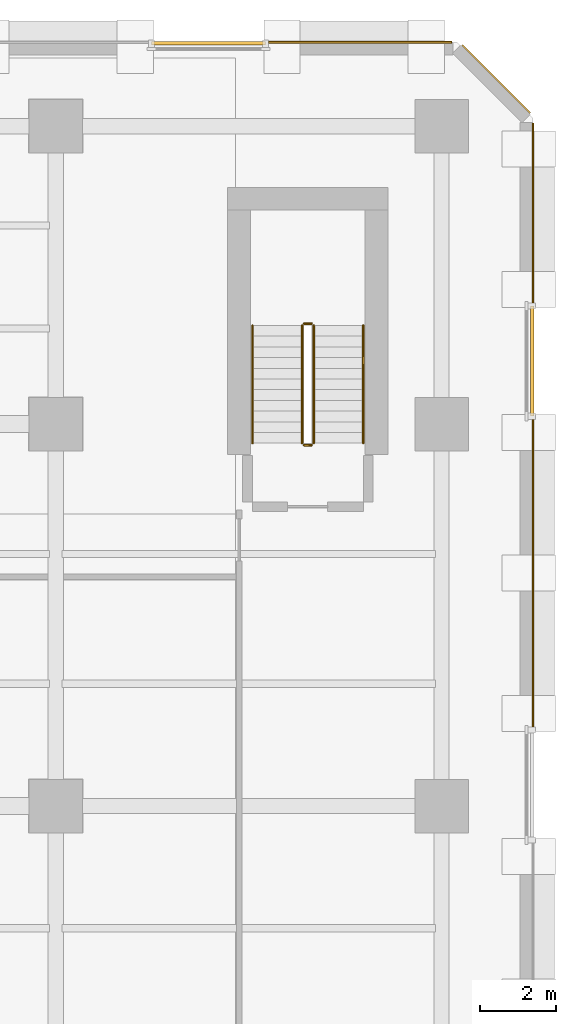
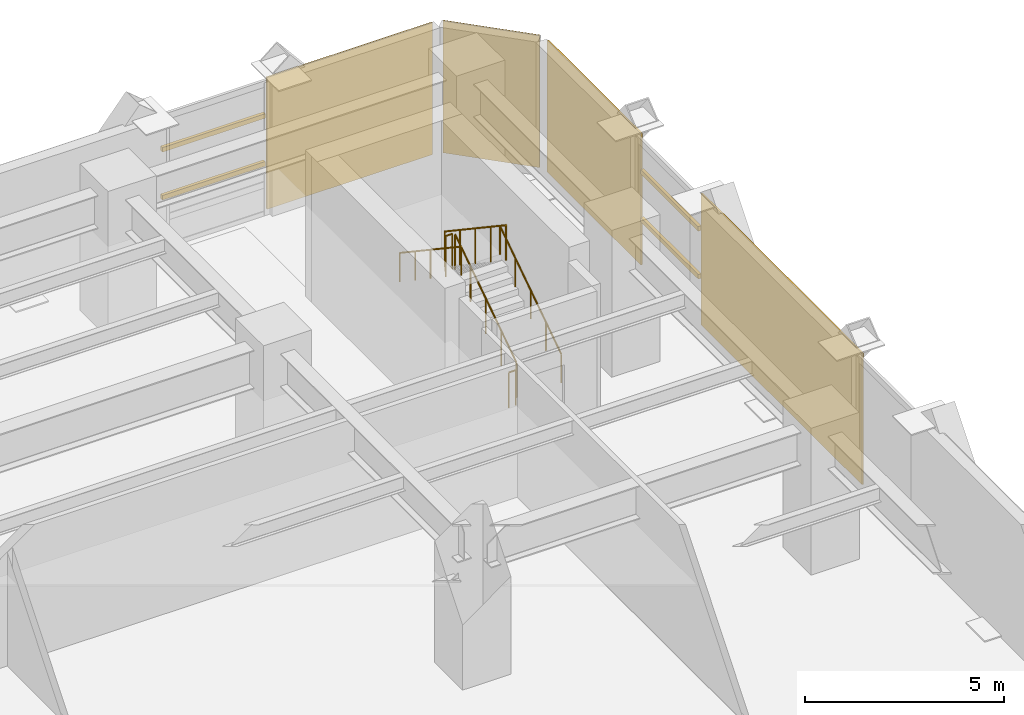
# One storey, part 26 of 26: 6 railings, 4 coverings, 4 shading devices.
"""IFC4 building model written with IfcOpenShell, lengths in metres."""

import ifcopenshell
import ifcopenshell.guid

model = None  # the IFC model being written
_history = None  # IfcOwnerHistory: only IFC2X3 demands one
_inside = {}  # id of a spatial element -> (the spatial element, [elements in it])
_under = {}  # id of a project, library or spatial element -> (it, [spatial elements below it])
_declared = {}  # id of a project -> (the project, [libraries it declares])
_typed = {}  # id of a type object -> (the type object, [elements of that type])
_made_of = {}  # id of a material, layer set ... -> (it, [elements and type objects made of it])


def new_model(schema):
    """Start an empty IFC model of exactly this schema.

    Asked for "IFC4X3", IfcOpenShell would pick the latest addendum, in which some entities
    have other attributes; the version numbers below select the first issue.
    IFC2X3 requires an IfcOwnerHistory on every rooted entity: one is made here for all.
    """
    global model, _history
    if schema == "IFC4X3":
        model = ifcopenshell.file(schema_version=(4, 3, 0, 0))
    else:
        model = ifcopenshell.file(schema=schema)
    _inside.clear()
    _under.clear()
    _declared.clear()
    _typed.clear()
    _made_of.clear()
    _history = None
    if model.schema == "IFC2X3":
        org = make("IfcOrganization", Name="unknown")
        user = make(
            "IfcPersonAndOrganization",
            ThePerson=make("IfcPerson", FamilyName="unknown"),
            TheOrganization=org,
        )
        app = make(
            "IfcApplication",
            ApplicationDeveloper=org,
            Version="unknown",
            ApplicationFullName="unknown",
            ApplicationIdentifier="unknown",
        )
        _history = make(
            "IfcOwnerHistory",
            OwningUser=user,
            OwningApplication=app,
            ChangeAction="ADDED",
            CreationDate=0,
        )
    return model


def make(cls, **values):
    """One entity of the class cls with the attributes given. An attribute that is None is left unset."""
    return model.create_entity(
        cls, **{name: value for name, value in values.items() if value is not None}
    )


def rooted(cls, **values):
    """An entity with a GlobalId (a new one), such as an element, a storey or a relation."""
    return make(cls, GlobalId=ifcopenshell.guid.new(), OwnerHistory=_history, **values)


def si_unit(unit_type, name, prefix=None):
    """IfcSIUnit, for example si_unit("LENGTHUNIT", "METRE", prefix="MILLI")."""
    return make("IfcSIUnit", UnitType=unit_type, Prefix=prefix, Name=name)


def assignment(units):
    """IfcUnitAssignment: the units of a project."""
    return None if units is None else make("IfcUnitAssignment", Units=units)


def point(xyz):
    """IfcCartesianPoint."""
    return None if xyz is None else make("IfcCartesianPoint", Coordinates=xyz)


def direction(xyz):
    """IfcDirection."""
    return None if xyz is None else make("IfcDirection", DirectionRatios=xyz)


def frame(location, z_axis=None, x_axis=None):
    """IfcAxis2Placement3D, a coordinate frame: its origin and axes. An axis left out is left unset."""
    return make(
        "IfcAxis2Placement3D",
        Location=point(location),
        Axis=direction(z_axis),
        RefDirection=direction(x_axis),
    )


def frame_2d(location, x_axis=None):
    """IfcAxis2Placement2D, a coordinate frame in the plane: its origin and x axis."""
    return make(
        "IfcAxis2Placement2D", Location=point(location), RefDirection=direction(x_axis)
    )


def origin():
    """The frame at (0, 0, 0) with its axes left unset."""
    return frame((0.0, 0.0, 0.0))


def origin_2d():
    """The frame at (0, 0) in the plane with its x axis left unset."""
    return frame_2d((0.0, 0.0))


def place(relative_to, where):
    """IfcLocalPlacement: puts the frame where relative to a parent placement (None: the world)."""
    return make(
        "IfcLocalPlacement", PlacementRelTo=relative_to, RelativePlacement=where
    )


def context(
    kind, dimensions, precision=None, world=None, true_north=None, identifier=None
):
    """IfcGeometricRepresentationContext, for example the 3D "Model" context."""
    return make(
        "IfcGeometricRepresentationContext",
        ContextIdentifier=identifier,
        ContextType=kind,
        CoordinateSpaceDimension=dimensions,
        Precision=precision,
        WorldCoordinateSystem=world,
        TrueNorth=true_north,
    )


def subcontext(parent, identifier, kind, view, scale=None):
    """IfcGeometricRepresentationSubContext, for example "Body" below "Model"."""
    return make(
        "IfcGeometricRepresentationSubContext",
        ContextIdentifier=identifier,
        ContextType=kind,
        ParentContext=parent,
        TargetScale=scale,
        TargetView=view,
    )


def project(units=None, contexts=None):
    """IfcProject with its units and contexts."""
    return rooted(
        "IfcProject",
        Name="project",
        RepresentationContexts=contexts,
        UnitsInContext=assignment(units),
    )


def spatial(cls, under=None, at=None, **own):
    """A site, building, storey or space (cls), placed at a placement, below another one or the project."""
    s = rooted(cls, ObjectPlacement=at, **own)
    if under is not None:
        _under.setdefault(under.id(), (under, []))[1].append(s)
    return s


def polyline(points):
    """IfcPolyline through the points."""
    return make("IfcPolyline", Points=[point(p) for p in points])


def profile(cls, at=None, kind="AREA", **sizes):
    """A parametric profile (cls). Its sizes go by their IFC names, for example OverallWidth=200.0."""
    return make(cls, ProfileType=kind, Position=at, **sizes)


def rectangle(**sizes):
    """IfcRectangleProfileDef."""
    return profile("IfcRectangleProfileDef", **sizes)


def circle(**sizes):
    """IfcCircleProfileDef."""
    return profile("IfcCircleProfileDef", **sizes)


def outline(outer, holes=None, kind="AREA"):
    """IfcArbitraryClosedProfileDef: a profile drawn as a closed curve; with holes, ...WithVoids."""
    if holes is None:
        return make("IfcArbitraryClosedProfileDef", ProfileType=kind, OuterCurve=outer)
    return make(
        "IfcArbitraryProfileDefWithVoids",
        ProfileType=kind,
        OuterCurve=outer,
        InnerCurves=holes,
    )


def extrude(swept, where, along, depth):
    """IfcExtrudedAreaSolid: the profile swept, set in the frame where, extruded along a direction by depth."""
    return make(
        "IfcExtrudedAreaSolid",
        SweptArea=swept,
        Position=where,
        ExtrudedDirection=direction(along),
        Depth=depth,
    )


def shape(context_of_items, identifier, shape_type, items):
    """IfcShapeRepresentation: the items that make up one representation, for example the "Body"."""
    return make(
        "IfcShapeRepresentation",
        ContextOfItems=context_of_items,
        RepresentationIdentifier=identifier,
        RepresentationType=shape_type,
        Items=items,
    )


def material(Name=None, Category=None):
    """IfcMaterial."""
    return make("IfcMaterial", Name=Name, Category=Category)


def layer(
    of_material, thickness, ventilated=None, Name=None, Category=None, Priority=None
):
    """IfcMaterialLayer: one layer of a wall or slab, of a material (None: an air gap)."""
    return make(
        "IfcMaterialLayer",
        Material=of_material,
        LayerThickness=thickness,
        IsVentilated=ventilated,
        Name=Name,
        Category=Category,
        Priority=Priority,
    )


def layer_set(layers, Name=None):
    """IfcMaterialLayerSet."""
    return make("IfcMaterialLayerSet", MaterialLayers=layers, LayerSetName=Name)


def material_profile(
    of_material, cross_section, Name=None, Category=None, Priority=None
):
    """IfcMaterialProfile: a cross section and its material."""
    return make(
        "IfcMaterialProfile",
        Name=Name,
        Material=of_material,
        Profile=cross_section,
        Priority=Priority,
        Category=Category,
    )


def profile_set(profiles, Name=None, composite=None):
    """IfcMaterialProfileSet."""
    return make(
        "IfcMaterialProfileSet",
        Name=Name,
        MaterialProfiles=profiles,
        CompositeProfile=composite,
    )


def made_of(thing, what):
    """Note that an element or type object is made of a material, layer set ...; save() writes the relation."""
    if what is not None:
        _made_of.setdefault(what.id(), (what, []))[1].append(thing)
    return thing


def type_object(cls, material=None, **own):
    """A type object (cls), such as IfcWallType, which elements share."""
    return made_of(rooted(cls, **own), material)


def element(
    cls,
    number,
    at=None,
    inside=None,
    cuts=None,
    type_object=None,
    material=None,
    context=None,
    identifier="Body",
    shape_type=None,
    held_by="IfcProductDefinitionShape",
    body=None,
    shapes=None,
    **own,
):
    """One element of the class cls, such as IfcWall. Its Tag is "e" and its number.

    at: its placement. inside: the storey or other place that contains it. cuts: it is an
    opening in that element (IfcRelVoidsElement). A single representation is given by context,
    identifier, shape_type and body (its items); several are given by shapes. held_by: the class
    of the entity that holds the representations. save() writes the other relations.
    """
    e = rooted(cls, Tag="e%d" % number, ObjectPlacement=at, **own)
    if body is not None:
        shapes = [shape(context, identifier, shape_type, body)]
    if shapes is not None:
        e.Representation = make(held_by, Representations=shapes)
    if inside is not None:
        _inside.setdefault(inside.id(), (inside, []))[1].append(e)
    if cuts is not None:
        rooted(
            "IfcRelVoidsElement", RelatingBuildingElement=cuts, RelatedOpeningElement=e
        )
    if type_object is not None:
        _typed.setdefault(type_object.id(), (type_object, []))[1].append(e)
    return made_of(e, material)


def aggregate(whole, parts):
    """IfcRelAggregates: a whole, such as a stair, and the parts it consists of."""
    return rooted("IfcRelAggregates", RelatingObject=whole, RelatedObjects=parts)


def save(model, path):
    """Write the relations noted so far, then the file.

    IfcRelAggregates (storeys below a building ...), IfcRelContainedInSpatialStructure (elements
    in a storey), IfcRelDefinesByType, IfcRelAssociatesMaterial and IfcRelDeclares: one each for
    every whole, place, type object, material and project.
    """
    for whole, parts in _under.values():
        aggregate(whole, parts)
    for where, things in _inside.values():
        rooted(
            "IfcRelContainedInSpatialStructure",
            RelatedElements=things,
            RelatingStructure=where,
        )
    for kind, things in _typed.values():
        rooted("IfcRelDefinesByType", RelatedObjects=things, RelatingType=kind)
    for what, things in _made_of.values():
        rooted("IfcRelAssociatesMaterial", RelatedObjects=things, RelatingMaterial=what)
    for by, libraries in _declared.values():
        rooted("IfcRelDeclares", RelatingContext=by, RelatedDefinitions=libraries)
    model.write(path)


model = new_model("IFC4")

# Units and contexts
model_context = context("Model", 3, precision=1e-05, world=origin(), true_north=direction((0.0, 1.0)))
body_context = subcontext(model_context, "Body", "Model", "MODEL_VIEW")
ifc_project = project(units=[si_unit("LENGTHUNIT", "METRE"), si_unit("AREAUNIT", "SQUARE_METRE"), si_unit("VOLUMEUNIT", "CUBIC_METRE"), si_unit("PLANEANGLEUNIT", "RADIAN"), si_unit("MASSUNIT", "GRAM", prefix="KILO")], contexts=[model_context])

# Site, building, storey
site_placement = place(None, origin())
site = spatial("IfcSite", under=ifc_project, at=site_placement, CompositionType="ELEMENT")
building_placement = place(site_placement, origin())
building = spatial("IfcBuilding", under=site, at=building_placement, Name="Quenlor Broadcast Tower", CompositionType="ELEMENT")
storey_placement = place(building_placement, frame((0.0, 0.0, 18.5)))
storey = spatial("IfcBuildingStorey", under=building, at=storey_placement, Name="L04", CompositionType="ELEMENT", Elevation=18.5)

# Shading devices
ifc_material_1 = material(Name="Architectural Terracotta Ceramic", Category="masonry")
ifc_material_profile = material_profile(ifc_material_1, rectangle(XDim=0.090087890625, YDim=0.139892578125, at=origin_2d()))
ifc_profile_set = profile_set([ifc_material_profile], Name="Architectural Terracotta Ceramic BAG90x140")
shading_device_type = type_object("IfcShadingDeviceType", Name="Copper Terracotta Baguette Solar Screen 140", PredefinedType="USERDEFINED", material=ifc_profile_set)
for number, where, z_axis, x_axis, name in (
    (1, (27.006103515625, 24.972900390625, 1.46875), (1.0, 0.0, 0.0), (0.0, 1.0, 0.0), "L04 Terracotta Baguette Screen 1"),
    (2, (27.006103515625, 24.972900390625, 2.9375), (1.0, 0.0, 0.0), (0.0, 1.0, 0.0), "L04 Terracotta Baguette Screen 2"),
):
    element("IfcShadingDevice", number, at=place(storey_placement, frame(where, z_axis=z_axis, x_axis=x_axis)), inside=storey, type_object=shading_device_type, Name=name, ObjectType="BAGUETTE", PredefinedType="USERDEFINED", context=body_context, shape_type="SweptSolid", body=[
        extrude(rectangle(XDim=0.090087890625, YDim=0.139892578125, at=origin_2d()), origin(), (0.0, 0.0, 1.0), 2.98779296875),
    ])
for number, where, z_axis, x_axis, name in (
    (3, (36.972900390625, 18.093505859375, 1.46875), (0.0, -1.0, 0.0), (1.0, 0.0, 0.0), "L04 Terracotta Baguette Screen 1"),
    (4, (36.972900390625, 18.093505859375, 2.9375), (0.0, -1.0, 0.0), (1.0, 0.0, 0.0), "L04 Terracotta Baguette Screen 2"),
):
    element("IfcShadingDevice", number, at=place(storey_placement, frame(where, z_axis=z_axis, x_axis=x_axis)), inside=storey, type_object=shading_device_type, Name=name, ObjectType="BAGUETTE", PredefinedType="USERDEFINED", context=body_context, shape_type="SweptSolid", body=[
        extrude(rectangle(XDim=0.090087890625, YDim=0.139892578125, at=origin_2d()), origin(), (0.0, 0.0, 1.0), 2.88720703125),
    ])

# Coverings
ifc_material_2 = material(Name="Architectural Terracotta Ceramic", Category="masonry")
ifc_layer = layer(ifc_material_2, 0.044921875)
ifc_layer_set = layer_set([ifc_layer], Name="Fluted Terracotta Rainscreen Cladding Panel")
covering_type = type_object("IfcCoveringType", Name="Fluted Terracotta Rainscreen Cladding Panel", PredefinedType="CLADDING", material=ifc_layer_set)
covering_1_placement = place(storey_placement, frame((0.0, 0.0, 0.02001953125)))
element("IfcCovering", 5, at=covering_1_placement, inside=storey, type_object=covering_type, Name="L04 Terracotta Rainscreen Cladding L04-N-FULL-SP7", PredefinedType="CLADDING", context=body_context, shape_type="SweptSolid", body=[
    extrude(outline(polyline([(30.06494140625, 24.971923828125), (34.8701171875, 24.971923828125), (34.8701171875, 25.01708984375), (30.06494140625, 25.01708984375), (30.06494140625, 24.971923828125)])), origin(), (0.0, 0.0, 1.0), 4.0400390625),
])
covering_2_placement = place(storey_placement, frame((0.0, 0.0, 0.02001953125)))
element("IfcCovering", 6, at=covering_2_placement, inside=storey, type_object=covering_type, Name="L04 Terracotta Rainscreen Cladding L04-E-FULL-SP1", PredefinedType="CLADDING", context=body_context, shape_type="SweptSolid", body=[
    extrude(outline(polyline([(36.971923828125, 22.8701171875), (36.971923828125, 18.16455078125), (37.01708984375, 18.16455078125), (37.01708984375, 22.8701171875), (36.971923828125, 22.8701171875)])), origin(), (0.0, 0.0, 1.0), 4.0400390625),
])
covering_3_placement = place(storey_placement, frame((0.0, 0.0, 0.02001953125)))
element("IfcCovering", 7, at=covering_3_placement, inside=storey, type_object=covering_type, Name="L04 Terracotta Rainscreen Cladding L04-E-FULL-SP2", PredefinedType="CLADDING", context=body_context, shape_type="SweptSolid", body=[
    extrude(outline(polyline([(36.971923828125, 15.135498046875), (36.971923828125, 7.064697265625), (37.01708984375, 7.064697265625), (37.01708984375, 15.135498046875), (36.971923828125, 15.135498046875)])), origin(), (0.0, 0.0, 1.0), 4.0400390625),
])
covering_4_placement = place(storey_placement, frame((0.0, 0.0, 0.02001953125)))
element("IfcCovering", 8, at=covering_4_placement, inside=storey, type_object=covering_type, Name="L04 Terracotta Rainscreen Cladding L04-EW-CNE", PredefinedType="CLADDING", context=body_context, shape_type="SweptSolid", body=[
    extrude(outline(polyline([(35.128662109375, 24.90625), (36.90625, 23.128662109375), (36.93798828125, 23.160400390625), (35.160400390625, 24.93798828125), (35.128662109375, 24.90625)])), origin(), (0.0, 0.0, 1.0), 4.0400390625),
])

# Railings
ifc_material_3 = material(Name="Anodised Aluminium", Category="aluminium")
railing_type_1 = type_object("IfcRailingType", Name="Stainless Aluminium Wall Handrail 900", PredefinedType="HANDRAIL", material=ifc_material_3)
railing_1_placement = place(storey_placement, frame((32.550048828125, 14.5, 0.1875)))
element("IfcRailing", 9, at=railing_1_placement, inside=storey, type_object=railing_type_1, Name="L04 ST-4 stair handrail 1", PredefinedType="HANDRAIL", context=body_context, shape_type="SweptSolid", body=[
    extrude(circle(Radius=0.02392578125, at=origin_2d()), frame((0.0, 0.0, 0.8759765625), z_axis=(0.0, 0.830913701846, 0.55640131208), x_axis=(-1.0, 0.0, 0.0)), (0.0, 0.0, 1.0), 3.706787109375),
    extrude(circle(Radius=0.02099609375, at=origin_2d()), origin(), (0.0, 0.0, 1.0), 0.851806640625),
    extrude(circle(Radius=0.02099609375, at=origin_2d()), frame((0.0, 0.77001953125, 0.515625)), (0.0, 0.0, 1.0), 0.851806640625),
    extrude(circle(Radius=0.02099609375, at=origin_2d()), frame((0.0, 1.5400390625, 1.03125)), (0.0, 0.0, 1.0), 0.851806640625),
    extrude(circle(Radius=0.02099609375, at=origin_2d()), frame((0.0, 2.31005859375, 1.546875)), (0.0, 0.0, 1.0), 0.851806640625),
    extrude(circle(Radius=0.02099609375, at=origin_2d()), frame((0.0, 3.080078125, 2.0625)), (0.0, 0.0, 1.0), 0.851806640625),
])
railing_2_placement = place(storey_placement, frame((29.64990234375, 17.580078125, 2.4375)))
element("IfcRailing", 10, at=railing_2_placement, inside=storey, type_object=railing_type_1, Name="L04 ST-4 stair handrail 2", PredefinedType="HANDRAIL", context=body_context, shape_type="SweptSolid", body=[
    extrude(circle(Radius=0.02392578125, at=origin_2d()), frame((0.0, 0.0, 0.8759765625), z_axis=(0.0, -0.830913701846, 0.55640131208), x_axis=(1.0, 0.0, 0.0)), (0.0, 0.0, 1.0), 3.706787109375),
    extrude(circle(Radius=0.02099609375, at=origin_2d()), origin(), (0.0, 0.0, 1.0), 0.851806640625),
    extrude(circle(Radius=0.02099609375, at=origin_2d()), frame((0.0, -0.77001953125, 0.515625)), (0.0, 0.0, 1.0), 0.851806640625),
    extrude(circle(Radius=0.02099609375, at=origin_2d()), frame((0.0, -1.5400390625, 1.03125)), (0.0, 0.0, 1.0), 0.851806640625),
    extrude(circle(Radius=0.02099609375, at=origin_2d()), frame((0.0, -2.31005859375, 1.546875)), (0.0, 0.0, 1.0), 0.851806640625),
    extrude(circle(Radius=0.02099609375, at=origin_2d()), frame((0.0, -3.080078125, 2.0625)), (0.0, 0.0, 1.0), 0.851806640625),
])
ifc_material_4 = material(Name="Steel S355", Category="steel")
railing_type_2 = type_object("IfcRailingType", Name="Tubular Steel S355 Stair Guardrail 1100", PredefinedType="BALUSTRADE", material=ifc_material_4)
railing_3_placement = place(storey_placement, frame((31.25, 14.5, 0.1875)))
element("IfcRailing", 11, at=railing_3_placement, inside=storey, type_object=railing_type_2, Name="L04 ST-4 stair guard 1", PredefinedType="BALUSTRADE", context=body_context, shape_type="SweptSolid", body=[
    extrude(circle(Radius=0.02392578125, at=origin_2d()), frame((0.0, 0.0, 1.076171875), z_axis=(0.0, 0.830913701846, 0.55640131208), x_axis=(-1.0, 0.0, 0.0)), (0.0, 0.0, 1.0), 3.706787109375),
    extrude(circle(Radius=0.02099609375, at=origin_2d()), origin(), (0.0, 0.0, 1.0), 1.052001953125),
    extrude(circle(Radius=0.02099609375, at=origin_2d()), frame((0.0, 0.77001953125, 0.515625)), (0.0, 0.0, 1.0), 1.052001953125),
    extrude(circle(Radius=0.02099609375, at=origin_2d()), frame((0.0, 1.5400390625, 1.03125)), (0.0, 0.0, 1.0), 1.052001953125),
    extrude(circle(Radius=0.02099609375, at=origin_2d()), frame((0.0, 2.31005859375, 1.546875)), (0.0, 0.0, 1.0), 1.052001953125),
    extrude(circle(Radius=0.02099609375, at=origin_2d()), frame((0.0, 3.080078125, 2.0625)), (0.0, 0.0, 1.0), 1.052001953125),
])
railing_4_placement = place(storey_placement, frame((31.199951171875, 17.6298828125, 2.25)))
element("IfcRailing", 12, at=railing_4_placement, inside=storey, type_object=railing_type_2, Name="L04 ST-4 stair guard 2", PredefinedType="BALUSTRADE", context=body_context, shape_type="SweptSolid", body=[
    extrude(circle(Radius=0.02392578125, at=origin_2d()), frame((0.0, 0.0, 1.076171875), z_axis=(-1.0, 0.0, 0.0), x_axis=(0.0, -1.0, 0.0)), (0.0, 0.0, 1.0), 0.199951171875),
    extrude(circle(Radius=0.02099609375, at=origin_2d()), origin(), (0.0, 0.0, 1.0), 1.052001953125),
    extrude(circle(Radius=0.02099609375, at=origin_2d()), frame((-0.199951171875, 0.0, 0.0)), (0.0, 0.0, 1.0), 1.052001953125),
])
railing_5_placement = place(storey_placement, frame((30.949951171875, 17.580078125, 2.4375)))
element("IfcRailing", 13, at=railing_5_placement, inside=storey, type_object=railing_type_2, Name="L04 ST-4 stair guard 3", PredefinedType="BALUSTRADE", context=body_context, shape_type="SweptSolid", body=[
    extrude(circle(Radius=0.02392578125, at=origin_2d()), frame((0.0, 0.0, 1.076171875), z_axis=(0.0, -0.830913701846, 0.55640131208), x_axis=(1.0, 0.0, 0.0)), (0.0, 0.0, 1.0), 3.706787109375),
    extrude(circle(Radius=0.02099609375, at=origin_2d()), origin(), (0.0, 0.0, 1.0), 1.052001953125),
    extrude(circle(Radius=0.02099609375, at=origin_2d()), frame((0.0, -0.77001953125, 0.515625)), (0.0, 0.0, 1.0), 1.052001953125),
    extrude(circle(Radius=0.02099609375, at=origin_2d()), frame((0.0, -1.5400390625, 1.03125)), (0.0, 0.0, 1.0), 1.052001953125),
    extrude(circle(Radius=0.02099609375, at=origin_2d()), frame((0.0, -2.31005859375, 1.546875)), (0.0, 0.0, 1.0), 1.052001953125),
    extrude(circle(Radius=0.02099609375, at=origin_2d()), frame((0.0, -3.080078125, 2.0625)), (0.0, 0.0, 1.0), 1.052001953125),
])
railing_6_placement = place(storey_placement, frame((31.199951171875, 14.449951171875, 0.0)))
element("IfcRailing", 14, at=railing_6_placement, inside=storey, type_object=railing_type_2, Name="L04 ST-4 stair guard 4", PredefinedType="BALUSTRADE", context=body_context, shape_type="SweptSolid", body=[
    extrude(circle(Radius=0.02392578125, at=origin_2d()), frame((0.0, 0.0, 1.076171875), z_axis=(-1.0, 0.0, 0.0), x_axis=(0.0, -1.0, 0.0)), (0.0, 0.0, 1.0), 0.199951171875),
    extrude(circle(Radius=0.02099609375, at=origin_2d()), origin(), (0.0, 0.0, 1.0), 1.052001953125),
    extrude(circle(Radius=0.02099609375, at=origin_2d()), frame((-0.199951171875, 0.0, 0.0)), (0.0, 0.0, 1.0), 1.052001953125),
])

save(model, "model.ifc")
